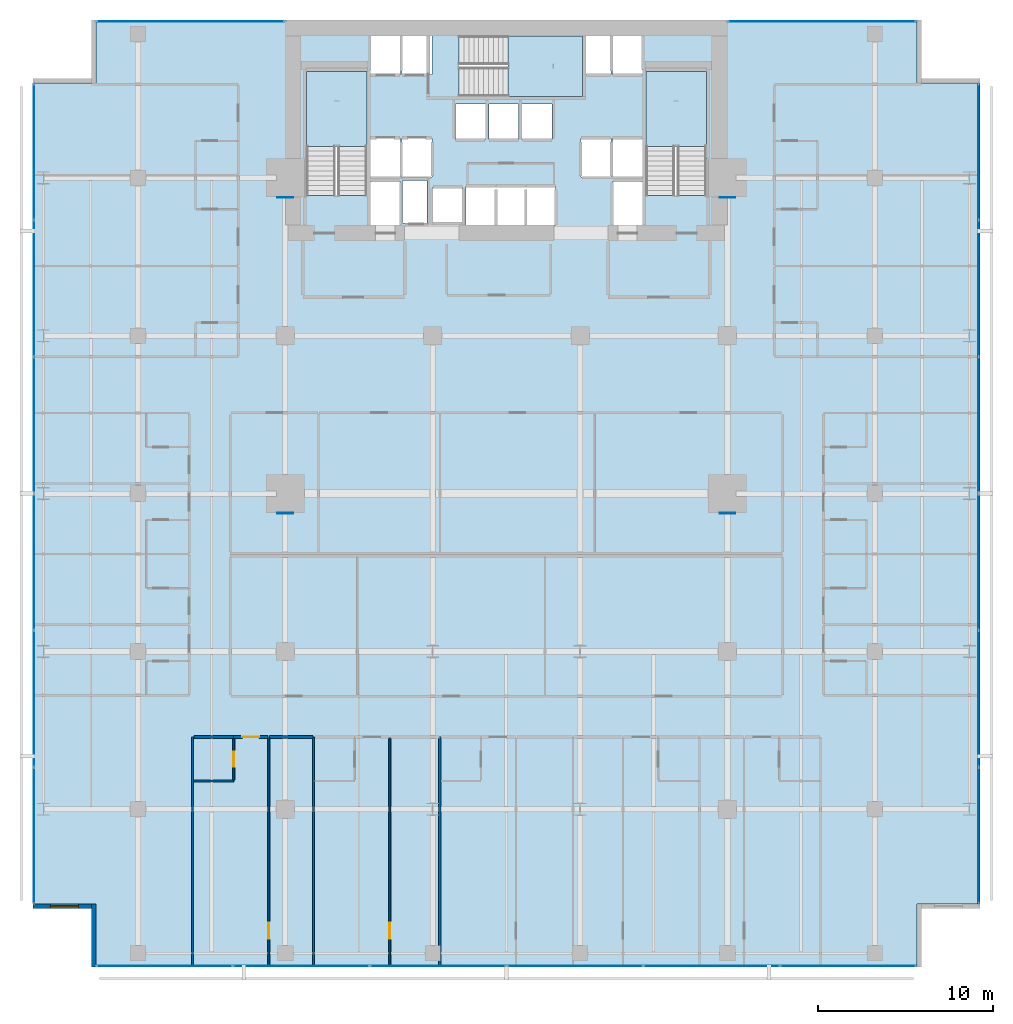
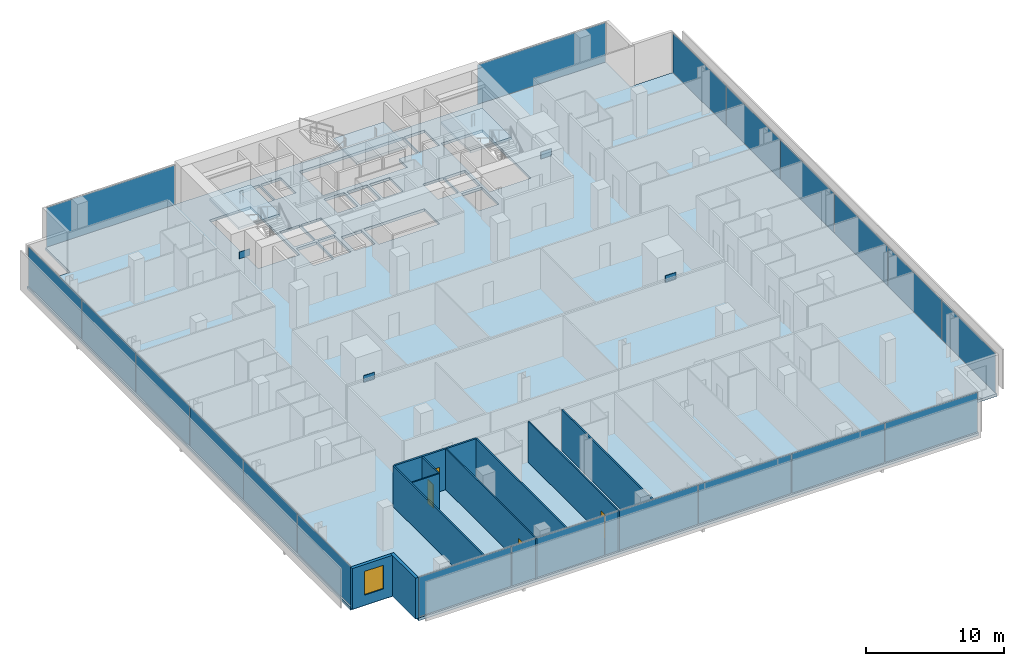
# One storey, part 32 of 40: 24 plates, 12 walls, 4 doors, 4 slabs, 1 window, 5 openings, 8 elements without a shape of their own.
"""IFC4 building model written with IfcOpenShell, lengths in metres."""

import ifcopenshell
import ifcopenshell.guid

model = None  # the IFC model being written
_history = None  # IfcOwnerHistory: only IFC2X3 demands one
_inside = {}  # id of a spatial element -> (the spatial element, [elements in it])
_under = {}  # id of a project, library or spatial element -> (it, [spatial elements below it])
_declared = {}  # id of a project -> (the project, [libraries it declares])
_typed = {}  # id of a type object -> (the type object, [elements of that type])
_made_of = {}  # id of a material, layer set ... -> (it, [elements and type objects made of it])


def new_model(schema):
    """Start an empty IFC model of exactly this schema.

    Asked for "IFC4X3", IfcOpenShell would pick the latest addendum, in which some entities
    have other attributes; the version numbers below select the first issue.
    IFC2X3 requires an IfcOwnerHistory on every rooted entity: one is made here for all.
    """
    global model, _history
    if schema == "IFC4X3":
        model = ifcopenshell.file(schema_version=(4, 3, 0, 0))
    else:
        model = ifcopenshell.file(schema=schema)
    _inside.clear()
    _under.clear()
    _declared.clear()
    _typed.clear()
    _made_of.clear()
    _history = None
    if model.schema == "IFC2X3":
        org = make("IfcOrganization", Name="unknown")
        user = make(
            "IfcPersonAndOrganization",
            ThePerson=make("IfcPerson", FamilyName="unknown"),
            TheOrganization=org,
        )
        app = make(
            "IfcApplication",
            ApplicationDeveloper=org,
            Version="unknown",
            ApplicationFullName="unknown",
            ApplicationIdentifier="unknown",
        )
        _history = make(
            "IfcOwnerHistory",
            OwningUser=user,
            OwningApplication=app,
            ChangeAction="ADDED",
            CreationDate=0,
        )
    return model


def make(cls, **values):
    """One entity of the class cls with the attributes given. An attribute that is None is left unset."""
    return model.create_entity(
        cls, **{name: value for name, value in values.items() if value is not None}
    )


def rooted(cls, **values):
    """An entity with a GlobalId (a new one), such as an element, a storey or a relation."""
    return make(cls, GlobalId=ifcopenshell.guid.new(), OwnerHistory=_history, **values)


def si_unit(unit_type, name, prefix=None):
    """IfcSIUnit, for example si_unit("LENGTHUNIT", "METRE", prefix="MILLI")."""
    return make("IfcSIUnit", UnitType=unit_type, Prefix=prefix, Name=name)


def assignment(units):
    """IfcUnitAssignment: the units of a project."""
    return None if units is None else make("IfcUnitAssignment", Units=units)


def point(xyz):
    """IfcCartesianPoint."""
    return None if xyz is None else make("IfcCartesianPoint", Coordinates=xyz)


def direction(xyz):
    """IfcDirection."""
    return None if xyz is None else make("IfcDirection", DirectionRatios=xyz)


def frame(location, z_axis=None, x_axis=None):
    """IfcAxis2Placement3D, a coordinate frame: its origin and axes. An axis left out is left unset."""
    return make(
        "IfcAxis2Placement3D",
        Location=point(location),
        Axis=direction(z_axis),
        RefDirection=direction(x_axis),
    )


def frame_2d(location, x_axis=None):
    """IfcAxis2Placement2D, a coordinate frame in the plane: its origin and x axis."""
    return make(
        "IfcAxis2Placement2D", Location=point(location), RefDirection=direction(x_axis)
    )


def origin():
    """The frame at (0, 0, 0) with its axes left unset."""
    return frame((0.0, 0.0, 0.0))


def origin_2d():
    """The frame at (0, 0) in the plane with its x axis left unset."""
    return frame_2d((0.0, 0.0))


def place(relative_to, where):
    """IfcLocalPlacement: puts the frame where relative to a parent placement (None: the world)."""
    return make(
        "IfcLocalPlacement", PlacementRelTo=relative_to, RelativePlacement=where
    )


def context(
    kind, dimensions, precision=None, world=None, true_north=None, identifier=None
):
    """IfcGeometricRepresentationContext, for example the 3D "Model" context."""
    return make(
        "IfcGeometricRepresentationContext",
        ContextIdentifier=identifier,
        ContextType=kind,
        CoordinateSpaceDimension=dimensions,
        Precision=precision,
        WorldCoordinateSystem=world,
        TrueNorth=true_north,
    )


def subcontext(parent, identifier, kind, view, scale=None):
    """IfcGeometricRepresentationSubContext, for example "Body" below "Model"."""
    return make(
        "IfcGeometricRepresentationSubContext",
        ContextIdentifier=identifier,
        ContextType=kind,
        ParentContext=parent,
        TargetScale=scale,
        TargetView=view,
    )


def project(units=None, contexts=None):
    """IfcProject with its units and contexts."""
    return rooted(
        "IfcProject",
        Name="project",
        RepresentationContexts=contexts,
        UnitsInContext=assignment(units),
    )


def spatial(cls, under=None, at=None, **own):
    """A site, building, storey or space (cls), placed at a placement, below another one or the project."""
    s = rooted(cls, ObjectPlacement=at, **own)
    if under is not None:
        _under.setdefault(under.id(), (under, []))[1].append(s)
    return s


def polyline(points):
    """IfcPolyline through the points."""
    return make("IfcPolyline", Points=[point(p) for p in points])


def profile(cls, at=None, kind="AREA", **sizes):
    """A parametric profile (cls). Its sizes go by their IFC names, for example OverallWidth=200.0."""
    return make(cls, ProfileType=kind, Position=at, **sizes)


def rectangle(**sizes):
    """IfcRectangleProfileDef."""
    return profile("IfcRectangleProfileDef", **sizes)


def outline(outer, holes=None, kind="AREA"):
    """IfcArbitraryClosedProfileDef: a profile drawn as a closed curve; with holes, ...WithVoids."""
    if holes is None:
        return make("IfcArbitraryClosedProfileDef", ProfileType=kind, OuterCurve=outer)
    return make(
        "IfcArbitraryProfileDefWithVoids",
        ProfileType=kind,
        OuterCurve=outer,
        InnerCurves=holes,
    )


def extrude(swept, where, along, depth):
    """IfcExtrudedAreaSolid: the profile swept, set in the frame where, extruded along a direction by depth."""
    return make(
        "IfcExtrudedAreaSolid",
        SweptArea=swept,
        Position=where,
        ExtrudedDirection=direction(along),
        Depth=depth,
    )


def shape(context_of_items, identifier, shape_type, items):
    """IfcShapeRepresentation: the items that make up one representation, for example the "Body"."""
    return make(
        "IfcShapeRepresentation",
        ContextOfItems=context_of_items,
        RepresentationIdentifier=identifier,
        RepresentationType=shape_type,
        Items=items,
    )


def material(Name=None, Category=None):
    """IfcMaterial."""
    return make("IfcMaterial", Name=Name, Category=Category)


def layer(
    of_material, thickness, ventilated=None, Name=None, Category=None, Priority=None
):
    """IfcMaterialLayer: one layer of a wall or slab, of a material (None: an air gap)."""
    return make(
        "IfcMaterialLayer",
        Material=of_material,
        LayerThickness=thickness,
        IsVentilated=ventilated,
        Name=Name,
        Category=Category,
        Priority=Priority,
    )


def layer_set(layers, Name=None):
    """IfcMaterialLayerSet."""
    return make("IfcMaterialLayerSet", MaterialLayers=layers, LayerSetName=Name)


def made_of(thing, what):
    """Note that an element or type object is made of a material, layer set ...; save() writes the relation."""
    if what is not None:
        _made_of.setdefault(what.id(), (what, []))[1].append(thing)
    return thing


def type_object(cls, material=None, **own):
    """A type object (cls), such as IfcWallType, which elements share."""
    return made_of(rooted(cls, **own), material)


def element(
    cls,
    number,
    at=None,
    inside=None,
    cuts=None,
    type_object=None,
    material=None,
    context=None,
    identifier="Body",
    shape_type=None,
    held_by="IfcProductDefinitionShape",
    body=None,
    shapes=None,
    **own,
):
    """One element of the class cls, such as IfcWall. Its Tag is "e" and its number.

    at: its placement. inside: the storey or other place that contains it. cuts: it is an
    opening in that element (IfcRelVoidsElement). A single representation is given by context,
    identifier, shape_type and body (its items); several are given by shapes. held_by: the class
    of the entity that holds the representations. save() writes the other relations.
    """
    e = rooted(cls, Tag="e%d" % number, ObjectPlacement=at, **own)
    if body is not None:
        shapes = [shape(context, identifier, shape_type, body)]
    if shapes is not None:
        e.Representation = make(held_by, Representations=shapes)
    if inside is not None:
        _inside.setdefault(inside.id(), (inside, []))[1].append(e)
    if cuts is not None:
        rooted(
            "IfcRelVoidsElement", RelatingBuildingElement=cuts, RelatedOpeningElement=e
        )
    if type_object is not None:
        _typed.setdefault(type_object.id(), (type_object, []))[1].append(e)
    return made_of(e, material)


def fill(opening, filler):
    """IfcRelFillsElement: the door or window that sits in an opening."""
    return rooted(
        "IfcRelFillsElement",
        RelatingOpeningElement=opening,
        RelatedBuildingElement=filler,
    )


def aggregate(whole, parts):
    """IfcRelAggregates: a whole, such as a stair, and the parts it consists of."""
    return rooted("IfcRelAggregates", RelatingObject=whole, RelatedObjects=parts)


def save(model, path):
    """Write the relations noted so far, then the file.

    IfcRelAggregates (storeys below a building ...), IfcRelContainedInSpatialStructure (elements
    in a storey), IfcRelDefinesByType, IfcRelAssociatesMaterial and IfcRelDeclares: one each for
    every whole, place, type object, material and project.
    """
    for whole, parts in _under.values():
        aggregate(whole, parts)
    for where, things in _inside.values():
        rooted(
            "IfcRelContainedInSpatialStructure",
            RelatedElements=things,
            RelatingStructure=where,
        )
    for kind, things in _typed.values():
        rooted("IfcRelDefinesByType", RelatedObjects=things, RelatingType=kind)
    for what, things in _made_of.values():
        rooted("IfcRelAssociatesMaterial", RelatedObjects=things, RelatingMaterial=what)
    for by, libraries in _declared.values():
        rooted("IfcRelDeclares", RelatingContext=by, RelatedDefinitions=libraries)
    model.write(path)


model = new_model("IFC4")

# Units and contexts
model_context = context("Model", 3, precision=1e-05, world=origin(), true_north=direction((0.0, 1.0)))
body_context = subcontext(model_context, "Body", "Model", "MODEL_VIEW")
ifc_project = project(units=[si_unit("LENGTHUNIT", "METRE"), si_unit("AREAUNIT", "SQUARE_METRE"), si_unit("VOLUMEUNIT", "CUBIC_METRE"), si_unit("PLANEANGLEUNIT", "RADIAN"), si_unit("MASSUNIT", "GRAM", prefix="KILO")], contexts=[model_context])

# Site, building, storey
site_placement = place(None, origin())
site = spatial("IfcSite", under=ifc_project, at=site_placement, CompositionType="ELEMENT")
building_placement = place(site_placement, origin())
building = spatial("IfcBuilding", under=site, at=building_placement, Name="Maruvema Waterfront Hotel and Observation Tower", CompositionType="ELEMENT")
storey_placement = place(building_placement, frame((0.0, 0.0, 77.0)))
storey = spatial("IfcBuildingStorey", under=building, at=storey_placement, Name="L18", CompositionType="ELEMENT", Elevation=77.0)

# Slab
ifc_material_1 = material(Name="Concrete C50/60", Category="concrete")
ifc_layer_1 = layer(ifc_material_1, 0.239990234375, Name="Reinforced Concrete Floor Slab 240 mm")
ifc_layer_set_1 = layer_set([ifc_layer_1], Name="Concrete C50/60")
slab_type_1 = type_object("IfcSlabType", Name="Reinforced Concrete Floor Slab 240 mm", PredefinedType="FLOOR", material=ifc_layer_set_1)
slab_1_placement = place(storey_placement, frame((0.0, 0.0, -0.239990234375)))
element("IfcSlab", 1, at=slab_1_placement, inside=storey, type_object=slab_type_1, Name="L18 Structural Floor Slab", PredefinedType="FLOOR", context=body_context, shape_type="SweptSolid", body=[
    extrude(outline(polyline([(14.39990234375, 0.0), (61.199951171875, 0.0), (61.199951171875, 3.60009765625), (64.800048828125, 3.60009765625), (64.800048828125, 50.39990234375), (61.199951171875, 50.39990234375), (61.199951171875, 54.0), (14.39990234375, 54.0), (14.39990234375, 50.39990234375), (10.800048828125, 50.39990234375), (10.800048828125, 3.60009765625), (14.39990234375, 3.60009765625), (14.39990234375, 0.0)]), holes=[polyline([(26.39990234375, 44.00048828125), (26.39990234375, 51.050048828125), (29.85009765625, 51.050048828125), (29.85009765625, 44.00048828125), (26.39990234375, 44.00048828125)]), polyline([(30.050048828125, 44.800048828125), (31.75, 44.800048828125), (31.75, 42.320068359375), (30.050048828125, 42.320068359375), (30.050048828125, 44.800048828125)]), polyline([(31.75, 47.25), (31.75, 45.050048828125), (30.050048828125, 45.050048828125), (30.050048828125, 47.25), (31.75, 47.25)]), polyline([(31.75, 53.10009765625), (31.75, 50.89990234375), (30.050048828125, 50.89990234375), (30.050048828125, 53.10009765625), (31.75, 53.10009765625)]), polyline([(33.280029296875, 44.860107421875), (33.280029296875, 42.43994140625), (31.8798828125, 42.43994140625), (31.8798828125, 44.860107421875), (33.280029296875, 44.860107421875)]), polyline([(31.85009765625, 47.25), (33.550048828125, 47.25), (33.550048828125, 45.050048828125), (31.85009765625, 45.050048828125), (31.85009765625, 47.25)]), polyline([(31.85009765625, 53.10009765625), (33.550048828125, 53.10009765625), (33.550048828125, 50.89990234375), (31.85009765625, 50.89990234375), (31.85009765625, 53.10009765625)]), polyline([(33.60009765625, 44.449951171875), (35.300048828125, 44.449951171875), (35.300048828125, 42.449951171875), (33.60009765625, 42.449951171875), (33.60009765625, 44.449951171875)]), polyline([(34.89990234375, 49.199951171875), (36.60009765625, 49.199951171875), (36.60009765625, 47.199951171875), (34.89990234375, 47.199951171875), (34.89990234375, 49.199951171875)]), polyline([(38.5, 49.199951171875), (38.5, 47.199951171875), (36.800048828125, 47.199951171875), (36.800048828125, 49.199951171875), (38.5, 49.199951171875)]), polyline([(35.5, 44.5), (40.60009765625, 44.5), (40.60009765625, 42.300048828125), (35.5, 42.300048828125), (35.5, 44.5)]), polyline([(43.75, 50.89990234375), (42.14990234375, 50.89990234375), (42.14990234375, 49.64990234375), (35.1005859375, 49.64990234375), (35.1005859375, 53.10009765625), (43.75, 53.10009765625), (43.75, 50.89990234375)]), polyline([(40.39990234375, 49.199951171875), (40.39990234375, 47.199951171875), (38.699951171875, 47.199951171875), (38.699951171875, 49.199951171875), (40.39990234375, 49.199951171875)]), polyline([(43.75, 47.25), (43.75, 45.050048828125), (42.050048828125, 45.050048828125), (42.050048828125, 47.25), (43.75, 47.25)]), polyline([(45.550048828125, 44.800048828125), (45.550048828125, 42.320068359375), (43.85009765625, 42.320068359375), (43.85009765625, 44.800048828125), (45.550048828125, 44.800048828125)]), polyline([(43.85009765625, 47.25), (45.550048828125, 47.25), (45.550048828125, 45.050048828125), (43.85009765625, 45.050048828125), (43.85009765625, 47.25)]), polyline([(45.550048828125, 53.10009765625), (45.550048828125, 50.89990234375), (43.85009765625, 50.89990234375), (43.85009765625, 53.10009765625), (45.550048828125, 53.10009765625)]), polyline([(45.75, 51.050048828125), (49.199951171875, 51.050048828125), (49.199951171875, 44.00048828125), (45.75, 44.00048828125), (45.75, 51.050048828125)])]), origin(), (0.0, 0.0, 1.0), 0.239990234375),
])

# Curtain wall, plates
ifc_material_2 = material(Name="Anodised bronze aluminium and solar-control low-E IGU", Category="aluminium")
ifc_layer_2 = layer(ifc_material_2, 0.159912109375, Name="Zone 1 Bronze Inner Thermal Curtain Wall System CW-02")
ifc_layer_set_2 = layer_set([ifc_layer_2], Name="Anodised bronze aluminium and solar-control low-E IGU")
curtain_wall_type = type_object("IfcCurtainWallType", Name="Zone 1 Bronze Inner Thermal Curtain Wall System CW-02", PredefinedType="USERDEFINED", material=ifc_layer_set_2)
curtain_wall_1_placement = place(storey_placement, origin())
curtain_wall_1 = element("IfcCurtainWall", 2, at=curtain_wall_1_placement, inside=storey, type_object=curtain_wall_type, Name="L18 Curtain Wall CW-L18-S", ObjectType="UNITISED CURTAIN WALL", PredefinedType="USERDEFINED")
ifc_material_3 = material(Name="Laminated low-E solar-control double glazing", Category="glass")
ifc_layer_3 = layer(ifc_material_3, 0.035888671875, Name="Solar Control Double-Glazed Curtain Panel 36 mm")
ifc_layer_set_3 = layer_set([ifc_layer_3], Name="Laminated low-E solar-control double glazing")
plate_type_1 = type_object("IfcPlateType", Name="Solar Control Double-Glazed Curtain Panel 36 mm", PredefinedType="CURTAIN_PANEL", material=ifc_layer_set_3)
plate_1_placement = place(storey_placement, frame((18.31494140625, 0.080078125, 0.06005859375), z_axis=(0.0, 0.0, 1.0), x_axis=(1.0, 0.0, 0.0)))
plate_1 = element("IfcPlate", 3, at=plate_1_placement, type_object=plate_type_1, Name="CW-02 panel 1.1", PredefinedType="CURTAIN_PANEL", context=body_context, shape_type="SweptSolid", body=[
    extrude(rectangle(XDim=7.7099609375, YDim=0.028076171875, at=origin_2d()), origin(), (0.0, 0.0, 1.0), 3.489990234375),
])
plate_2_placement = place(storey_placement, frame((26.10009765625, 0.080078125, 0.06005859375), z_axis=(0.0, 0.0, 1.0), x_axis=(1.0, 0.0, 0.0)))
plate_2 = element("IfcPlate", 4, at=plate_2_placement, type_object=plate_type_1, Name="CW-02 panel 2.1", PredefinedType="CURTAIN_PANEL", context=body_context, shape_type="SweptSolid", body=[
    extrude(rectangle(XDim=7.739990234375, YDim=0.028076171875, at=origin_2d()), origin(), (0.0, 0.0, 1.0), 3.489990234375),
])
plate_3_placement = place(storey_placement, frame((33.89990234375, 0.080078125, 0.06005859375), z_axis=(0.0, 0.0, 1.0), x_axis=(1.0, 0.0, 0.0)))
plate_3 = element("IfcPlate", 5, at=plate_3_placement, type_object=plate_type_1, Name="CW-02 panel 3.1", PredefinedType="CURTAIN_PANEL", context=body_context, shape_type="SweptSolid", body=[
    extrude(rectangle(XDim=7.739990234375, YDim=0.028076171875, at=origin_2d()), origin(), (0.0, 0.0, 1.0), 3.489990234375),
])
plate_4_placement = place(storey_placement, frame((41.699951171875, 0.080078125, 0.06005859375), z_axis=(0.0, 0.0, 1.0), x_axis=(1.0, 0.0, 0.0)))
plate_4 = element("IfcPlate", 6, at=plate_4_placement, type_object=plate_type_1, Name="CW-02 panel 4.1", PredefinedType="CURTAIN_PANEL", context=body_context, shape_type="SweptSolid", body=[
    extrude(rectangle(XDim=7.739990234375, YDim=0.028076171875, at=origin_2d()), origin(), (0.0, 0.0, 1.0), 3.489990234375),
])
plate_5_placement = place(storey_placement, frame((49.5, 0.080078125, 0.06005859375), z_axis=(0.0, 0.0, 1.0), x_axis=(1.0, 0.0, 0.0)))
plate_5 = element("IfcPlate", 7, at=plate_5_placement, type_object=plate_type_1, Name="CW-02 panel 5.1", PredefinedType="CURTAIN_PANEL", context=body_context, shape_type="SweptSolid", body=[
    extrude(rectangle(XDim=7.739990234375, YDim=0.028076171875, at=origin_2d()), origin(), (0.0, 0.0, 1.0), 3.489990234375),
])
plate_6_placement = place(storey_placement, frame((57.284912109375, 0.080078125, 0.06005859375), z_axis=(0.0, 0.0, 1.0), x_axis=(1.0, 0.0, 0.0)))
plate_6 = element("IfcPlate", 8, at=plate_6_placement, type_object=plate_type_1, Name="CW-02 panel 6.1", PredefinedType="CURTAIN_PANEL", context=body_context, shape_type="SweptSolid", body=[
    extrude(rectangle(XDim=7.7099609375, YDim=0.028076171875, at=origin_2d()), origin(), (0.0, 0.0, 1.0), 3.489990234375),
])
aggregate(curtain_wall_1, [plate_1, plate_2, plate_3, plate_4, plate_5, plate_6])

curtain_wall_2_placement = place(storey_placement, origin())
curtain_wall_2 = element("IfcCurtainWall", 9, at=curtain_wall_2_placement, inside=storey, type_object=curtain_wall_type, Name="L18 Curtain Wall CW-L18-E", ObjectType="UNITISED CURTAIN WALL", PredefinedType="USERDEFINED")
plate_7_placement = place(storey_placement, frame((64.719970703125, 7.514892578125, 0.06005859375), z_axis=(0.0, 0.0, 1.0), x_axis=(0.0, 1.0, 0.0)))
plate_7 = element("IfcPlate", 10, at=plate_7_placement, type_object=plate_type_1, Name="CW-02 panel 1.1", PredefinedType="CURTAIN_PANEL", context=body_context, shape_type="SweptSolid", body=[
    extrude(rectangle(XDim=7.7099609375, YDim=0.028076171875, at=origin_2d()), origin(), (0.0, 0.0, 1.0), 3.489990234375),
])
plate_8_placement = place(storey_placement, frame((64.719970703125, 15.300048828125, 0.06005859375), z_axis=(0.0, 0.0, 1.0), x_axis=(0.0, 1.0, 0.0)))
plate_8 = element("IfcPlate", 11, at=plate_8_placement, type_object=plate_type_1, Name="CW-02 panel 2.1", PredefinedType="CURTAIN_PANEL", context=body_context, shape_type="SweptSolid", body=[
    extrude(rectangle(XDim=7.739990234375, YDim=0.028076171875, at=origin_2d()), origin(), (0.0, 0.0, 1.0), 3.489990234375),
])
plate_9_placement = place(storey_placement, frame((64.719970703125, 23.10009765625, 0.06005859375), z_axis=(0.0, 0.0, 1.0), x_axis=(0.0, 1.0, 0.0)))
plate_9 = element("IfcPlate", 12, at=plate_9_placement, type_object=plate_type_1, Name="CW-02 panel 3.1", PredefinedType="CURTAIN_PANEL", context=body_context, shape_type="SweptSolid", body=[
    extrude(rectangle(XDim=7.739990234375, YDim=0.028076171875, at=origin_2d()), origin(), (0.0, 0.0, 1.0), 3.489990234375),
])
plate_10_placement = place(storey_placement, frame((64.719970703125, 30.89990234375, 0.06005859375), z_axis=(0.0, 0.0, 1.0), x_axis=(0.0, 1.0, 0.0)))
plate_10 = element("IfcPlate", 13, at=plate_10_placement, type_object=plate_type_1, Name="CW-02 panel 4.1", PredefinedType="CURTAIN_PANEL", context=body_context, shape_type="SweptSolid", body=[
    extrude(rectangle(XDim=7.739990234375, YDim=0.028076171875, at=origin_2d()), origin(), (0.0, 0.0, 1.0), 3.489990234375),
])
plate_11_placement = place(storey_placement, frame((64.719970703125, 38.699951171875, 0.06005859375), z_axis=(0.0, 0.0, 1.0), x_axis=(0.0, 1.0, 0.0)))
plate_11 = element("IfcPlate", 14, at=plate_11_placement, type_object=plate_type_1, Name="CW-02 panel 5.1", PredefinedType="CURTAIN_PANEL", context=body_context, shape_type="SweptSolid", body=[
    extrude(rectangle(XDim=7.739990234375, YDim=0.028076171875, at=origin_2d()), origin(), (0.0, 0.0, 1.0), 3.489990234375),
])
plate_12_placement = place(storey_placement, frame((64.719970703125, 46.485107421875, 0.06005859375), z_axis=(0.0, 0.0, 1.0), x_axis=(0.0, 1.0, 0.0)))
plate_12 = element("IfcPlate", 15, at=plate_12_placement, type_object=plate_type_1, Name="CW-02 panel 6.1", PredefinedType="CURTAIN_PANEL", context=body_context, shape_type="SweptSolid", body=[
    extrude(rectangle(XDim=7.7099609375, YDim=0.028076171875, at=origin_2d()), origin(), (0.0, 0.0, 1.0), 3.489990234375),
])
aggregate(curtain_wall_2, [plate_7, plate_8, plate_9, plate_10, plate_11, plate_12])

curtain_wall_3_placement = place(storey_placement, origin())
curtain_wall_3 = element("IfcCurtainWall", 16, at=curtain_wall_3_placement, inside=storey, type_object=curtain_wall_type, Name="L18 Curtain Wall CW-L18-W", ObjectType="UNITISED CURTAIN WALL", PredefinedType="USERDEFINED")
plate_13_placement = place(storey_placement, frame((10.8798828125, 46.485107421875, 0.06005859375), z_axis=(0.0, 0.0, 1.0), x_axis=(0.0, -1.0, 0.0)))
plate_13 = element("IfcPlate", 17, at=plate_13_placement, type_object=plate_type_1, Name="CW-02 panel 1.1", PredefinedType="CURTAIN_PANEL", context=body_context, shape_type="SweptSolid", body=[
    extrude(rectangle(XDim=7.7099609375, YDim=0.028076171875, at=origin_2d()), origin(), (0.0, 0.0, 1.0), 3.489990234375),
])
plate_14_placement = place(storey_placement, frame((10.8798828125, 38.699951171875, 0.06005859375), z_axis=(0.0, 0.0, 1.0), x_axis=(0.0, -1.0, 0.0)))
plate_14 = element("IfcPlate", 18, at=plate_14_placement, type_object=plate_type_1, Name="CW-02 panel 2.1", PredefinedType="CURTAIN_PANEL", context=body_context, shape_type="SweptSolid", body=[
    extrude(rectangle(XDim=7.739990234375, YDim=0.028076171875, at=origin_2d()), origin(), (0.0, 0.0, 1.0), 3.489990234375),
])
plate_15_placement = place(storey_placement, frame((10.8798828125, 30.89990234375, 0.06005859375), z_axis=(0.0, 0.0, 1.0), x_axis=(0.0, -1.0, 0.0)))
plate_15 = element("IfcPlate", 19, at=plate_15_placement, type_object=plate_type_1, Name="CW-02 panel 3.1", PredefinedType="CURTAIN_PANEL", context=body_context, shape_type="SweptSolid", body=[
    extrude(rectangle(XDim=7.739990234375, YDim=0.028076171875, at=origin_2d()), origin(), (0.0, 0.0, 1.0), 3.489990234375),
])
plate_16_placement = place(storey_placement, frame((10.8798828125, 23.10009765625, 0.06005859375), z_axis=(0.0, 0.0, 1.0), x_axis=(0.0, -1.0, 0.0)))
plate_16 = element("IfcPlate", 20, at=plate_16_placement, type_object=plate_type_1, Name="CW-02 panel 4.1", PredefinedType="CURTAIN_PANEL", context=body_context, shape_type="SweptSolid", body=[
    extrude(rectangle(XDim=7.739990234375, YDim=0.028076171875, at=origin_2d()), origin(), (0.0, 0.0, 1.0), 3.489990234375),
])
plate_17_placement = place(storey_placement, frame((10.8798828125, 15.300048828125, 0.06005859375), z_axis=(0.0, 0.0, 1.0), x_axis=(0.0, -1.0, 0.0)))
plate_17 = element("IfcPlate", 21, at=plate_17_placement, type_object=plate_type_1, Name="CW-02 panel 5.1", PredefinedType="CURTAIN_PANEL", context=body_context, shape_type="SweptSolid", body=[
    extrude(rectangle(XDim=7.739990234375, YDim=0.028076171875, at=origin_2d()), origin(), (0.0, 0.0, 1.0), 3.489990234375),
])
plate_18_placement = place(storey_placement, frame((10.8798828125, 7.514892578125, 0.06005859375), z_axis=(0.0, 0.0, 1.0), x_axis=(0.0, -1.0, 0.0)))
plate_18 = element("IfcPlate", 22, at=plate_18_placement, type_object=plate_type_1, Name="CW-02 panel 6.1", PredefinedType="CURTAIN_PANEL", context=body_context, shape_type="SweptSolid", body=[
    extrude(rectangle(XDim=7.7099609375, YDim=0.028076171875, at=origin_2d()), origin(), (0.0, 0.0, 1.0), 3.489990234375),
])
aggregate(curtain_wall_3, [plate_13, plate_14, plate_15, plate_16, plate_17, plate_18])

# Curtain wall, plate
curtain_wall_4_placement = place(storey_placement, origin())
curtain_wall_4 = element("IfcCurtainWall", 23, at=curtain_wall_4_placement, inside=storey, type_object=curtain_wall_type, Name="L18 Curtain Wall CW-L18-NW", ObjectType="UNITISED CURTAIN WALL", PredefinedType="USERDEFINED")
plate_19_placement = place(storey_placement, frame((19.800048828125, 53.919921875, 0.06005859375), z_axis=(0.0, 0.0, 1.0), x_axis=(-1.0, 0.0, 0.0)))
plate_19 = element("IfcPlate", 24, at=plate_19_placement, type_object=plate_type_1, Name="CW-02 panel 1.1", PredefinedType="CURTAIN_PANEL", context=body_context, shape_type="SweptSolid", body=[
    extrude(rectangle(XDim=10.679931640625, YDim=0.028076171875, at=origin_2d()), origin(), (0.0, 0.0, 1.0), 3.489990234375),
])
aggregate(curtain_wall_4, [plate_19])

curtain_wall_5_placement = place(storey_placement, origin())
curtain_wall_5 = element("IfcCurtainWall", 25, at=curtain_wall_5_placement, inside=storey, type_object=curtain_wall_type, Name="L18 Curtain Wall CW-L18-NE", ObjectType="UNITISED CURTAIN WALL", PredefinedType="USERDEFINED")
plate_20_placement = place(storey_placement, frame((55.800048828125, 53.919921875, 0.06005859375), z_axis=(0.0, 0.0, 1.0), x_axis=(-1.0, 0.0, 0.0)))
plate_20 = element("IfcPlate", 26, at=plate_20_placement, type_object=plate_type_1, Name="CW-02 panel 1.1", PredefinedType="CURTAIN_PANEL", context=body_context, shape_type="SweptSolid", body=[
    extrude(rectangle(XDim=10.679931640625, YDim=0.028076171875, at=origin_2d()), origin(), (0.0, 0.0, 1.0), 3.489990234375),
])
aggregate(curtain_wall_5, [plate_20])

# Stair, slab
ifc_material_4 = material(Name="Concrete C50/60", Category="concrete")
stair_type = type_object("IfcStairType", Name="Dogleg Exit Stair 1650 mm (22R x 175.0 mm)", PredefinedType="HALF_TURN_STAIR", material=ifc_material_4)
stair_1_placement = place(storey_placement, origin())
stair_1 = element("IfcStair", 27, at=stair_1_placement, inside=storey, type_object=stair_type, Name="L18 ST-01", PredefinedType="HALF_TURN_STAIR")
ifc_material_5 = material(Name="Concrete C50/60", Category="concrete")
ifc_layer_4 = layer(ifc_material_5, 0.219970703125, Name="Stair Concrete Landing Slab 220 mm")
ifc_layer_set_4 = layer_set([ifc_layer_4], Name="Concrete C50/60")
slab_type_2 = type_object("IfcSlabType", Name="Stair Concrete Landing Slab 220 mm", PredefinedType="LANDING", material=ifc_layer_set_4)
slab_2_placement = place(storey_placement, frame((0.0, 0.0, 1.705078125)))
slab_2 = element("IfcSlab", 28, at=slab_2_placement, type_object=slab_type_2, Name="ST-01 landing 1", PredefinedType="LANDING", context=body_context, shape_type="SweptSolid", body=[
    extrude(outline(polyline([(29.85009765625, 46.800048828125), (29.85009765625, 51.050048828125), (26.39990234375, 51.050048828125), (26.39990234375, 46.800048828125), (29.85009765625, 46.800048828125)])), origin(), (0.0, 0.0, 1.0), 0.219970703125),
])
aggregate(stair_1, [slab_2])

stair_2_placement = place(storey_placement, origin())
stair_2 = element("IfcStair", 29, at=stair_2_placement, inside=storey, type_object=stair_type, Name="L18 ST-02", PredefinedType="HALF_TURN_STAIR")
slab_3_placement = place(storey_placement, frame((0.0, 0.0, 1.705078125)))
slab_3 = element("IfcSlab", 30, at=slab_3_placement, type_object=slab_type_2, Name="ST-02 landing 1", PredefinedType="LANDING", context=body_context, shape_type="SweptSolid", body=[
    extrude(outline(polyline([(37.89990234375, 49.64990234375), (42.14990234375, 49.64990234375), (42.14990234375, 53.10009765625), (37.89990234375, 53.10009765625), (37.89990234375, 49.64990234375)])), origin(), (0.0, 0.0, 1.0), 0.219970703125),
])
aggregate(stair_2, [slab_3])

stair_3_placement = place(storey_placement, origin())
stair_3 = element("IfcStair", 31, at=stair_3_placement, inside=storey, type_object=stair_type, Name="L18 ST-03", PredefinedType="HALF_TURN_STAIR")
slab_4_placement = place(storey_placement, frame((0.0, 0.0, 1.705078125)))
slab_4 = element("IfcSlab", 32, at=slab_4_placement, type_object=slab_type_2, Name="ST-03 landing 1", PredefinedType="LANDING", context=body_context, shape_type="SweptSolid", body=[
    extrude(outline(polyline([(49.199951171875, 46.800048828125), (49.199951171875, 51.050048828125), (45.75, 51.050048828125), (45.75, 46.800048828125), (49.199951171875, 46.800048828125)])), origin(), (0.0, 0.0, 1.0), 0.219970703125),
])
aggregate(stair_3, [slab_4])

# Plates
ifc_material_6 = material(Name="Steel ABNT NBR 7007 AR 415 (ASTM A572 Grade 50)", Category="steel")
ifc_layer_5 = layer(ifc_material_6, 0.0400390625, Name="Structural Truss Node Gusset Plate 40 mm")
ifc_layer_set_5 = layer_set([ifc_layer_5], Name="Steel ABNT NBR 7007 AR 415 (ASTM A572 Grade 50)")
plate_type_2 = type_object("IfcPlateType", Name="Structural Truss Node Gusset Plate 40 mm", PredefinedType="USERDEFINED", material=ifc_layer_set_5)
for number, where, z_axis, x_axis, name in (
    (33, (25.199951171875, 25.8798828125, 1.5), (0.0, 0.0, 1.0), (1.0, 0.0, 0.0), "L18 MC-01 Moment Frame Continuity Gusset Plate"),
    (34, (50.39990234375, 25.8798828125, 1.5), (0.0, 0.0, 1.0), (1.0, 0.0, 0.0), "L18 MC-02 Moment Frame Continuity Gusset Plate"),
    (35, (25.199951171875, 43.8798828125, 1.5), (0.0, 0.0, 1.0), (1.0, 0.0, 0.0), "L18 MC-03 Moment Frame Continuity Gusset Plate"),
    (36, (50.39990234375, 43.8798828125, 1.5), (0.0, 0.0, 1.0), (1.0, 0.0, 0.0), "L18 MC-04 Moment Frame Continuity Gusset Plate"),
):
    element("IfcPlate", number, at=place(storey_placement, frame(where, z_axis=z_axis, x_axis=x_axis)), inside=storey, type_object=plate_type_2, Name=name, ObjectType="GUSSET_PLATE", PredefinedType="USERDEFINED", context=body_context, shape_type="SweptSolid", body=[
        extrude(rectangle(XDim=0.89990234375, YDim=0.0400390625, at=origin_2d()), origin(), (0.0, 0.0, 1.0), 0.60009765625),
    ])

# Wall
ifc_material_7 = material(Name="Twin-stud acoustic gypsum drywall", Category="gypsum")
ifc_layer_6 = layer(ifc_material_7, 0.14990234375, Name="Acoustic Corridor and Suite Demising Wall 150 mm")
ifc_layer_set_6 = layer_set([ifc_layer_6], Name="Twin-stud acoustic gypsum drywall")
wall_type_1 = type_object("IfcWallType", Name="Acoustic Corridor and Suite Demising Wall 150 mm", PredefinedType="PARTITIONING", material=ifc_layer_set_6)
wall_1_placement = place(storey_placement, frame((19.97998046875, 13.1201171875, 0.0), z_axis=(0.0, 0.0, 1.0), x_axis=(1.0, 0.0, 0.0)))
element("IfcWall", 37, at=wall_1_placement, inside=storey, type_object=wall_type_1, Name="L18 Bath L18-S1 Back Wall 036", PredefinedType="PARTITIONING", context=body_context, shape_type="SweptSolid", body=[
    extrude(rectangle(XDim=2.27001953125, YDim=0.14990234375, at=frame_2d((1.135009765625, 0.0))), origin(), (0.0, 0.0, 1.0), 3.610107421875),
])

# Wall, opening, door
wall_2_placement = place(storey_placement, frame((22.25, 13.1201171875, 0.0), z_axis=(0.0, 0.0, 1.0), x_axis=(1.0, 0.0, 0.0)))
wall_2 = element("IfcWall", 38, at=wall_2_placement, inside=storey, type_object=wall_type_1, Name="L18 Unit L18-S1 Corridor Wall 039", PredefinedType="PARTITIONING", context=body_context, shape_type="SweptSolid", body=[
    extrude(rectangle(XDim=1.9599609375, YDim=0.14990234375, at=frame_2d((0.97998046875, 0.0))), origin(), (0.0, 0.0, 1.0), 3.610107421875),
])
opening_1_placement = place(wall_2_placement, frame((0.5048828125, 0.0, 0.0)))
opening_1 = element("IfcOpeningElement", 39, at=opening_1_placement, cuts=wall_2, Name="Opening DR-095", PredefinedType="OPENING", context=body_context, shape_type="SweptSolid", body=[
    extrude(rectangle(XDim=0.949951171875, YDim=2.14990234375, at=frame_2d((0.47509765625, 1.074951171875))), frame((0.0, 0.0849609375, 0.0), z_axis=(0.0, -1.0, 0.0), x_axis=(1.0, 0.0, 0.0)), (0.0, 0.0, 1.0), 0.169921875),
])
ifc_material_8 = material(Name="Acoustic solid-core hardwood timber leaf", Category="wood")
door_type_1 = type_object("IfcDoorType", Name="Guestroom Entrance Fire Door 950x2150 mm", OperationType="NOTDEFINED", PredefinedType="DOOR", material=ifc_material_8)
door_1_placement = place(opening_1_placement, frame((0.949951171875, 0.0, 0.0), z_axis=(0.0, 0.0, 1.0), x_axis=(-1.0, 0.0, 0.0)))
door_1 = element("IfcDoor", 40, at=door_1_placement, inside=storey, type_object=door_type_1, Name="L18 Unit L18-S1 Entrance Door", OperationType="SINGLE_SWING_RIGHT", OverallHeight=2.14990234375, OverallWidth=0.949951171875, PredefinedType="DOOR", context=body_context, shape_type="SweptSolid", body=[
    extrude(rectangle(XDim=0.949951171875, YDim=2.14990234375, at=frame_2d((0.47509765625, 1.074951171875))), frame((0.0, 0.02490234375, 0.0), z_axis=(0.0, -1.0, 0.0), x_axis=(1.0, 0.0, 0.0)), (0.0, 0.0, 1.0), 0.050048828125),
])
fill(opening_1, door_1)

# Walls
wall_3_placement = place(storey_placement, frame((24.2900390625, 13.1201171875, 0.0), z_axis=(0.0, 0.0, 1.0), x_axis=(1.0, 0.0, 0.0)))
element("IfcWall", 41, at=wall_3_placement, inside=storey, type_object=wall_type_1, Name="L18 Bedroom L18-S1 Back Wall 040", PredefinedType="PARTITIONING", context=body_context, shape_type="SweptSolid", body=[
    extrude(rectangle(XDim=2.489990234375, YDim=0.14990234375, at=frame_2d((1.2451171875, 0.0))), origin(), (0.0, 0.0, 1.0), 3.610107421875),
])
ifc_material_9 = material(Name="Moisture-resistant cement-board drywall", Category="gypsum")
ifc_layer_7 = layer(ifc_material_9, 0.10009765625, Name="En-Suite Moisture-Resistant Partition 100 mm")
ifc_layer_set_7 = layer_set([ifc_layer_7], Name="Moisture-resistant cement-board drywall")
wall_type_2 = type_object("IfcWallType", Name="En-Suite Moisture-Resistant Partition 100 mm", PredefinedType="PARTITIONING", material=ifc_layer_set_7)
wall_4_placement = place(storey_placement, frame((19.97998046875, 10.6201171875, 0.0), z_axis=(0.0, 0.0, 1.0), x_axis=(1.0, 0.0, 0.0)))
element("IfcWall", 42, at=wall_4_placement, inside=storey, type_object=wall_type_2, Name="L18 En-Suite L18-S1 South 037", PredefinedType="PARTITIONING", context=body_context, shape_type="SweptSolid", body=[
    extrude(rectangle(XDim=2.27001953125, YDim=0.10009765625, at=frame_2d((1.135009765625, 0.0))), origin(), (0.0, 0.0, 1.0), 3.610107421875),
])

# Wall, opening, door
wall_5_placement = place(storey_placement, frame((22.25, 10.679931640625, 0.0), z_axis=(0.0, 0.0, 1.0), x_axis=(0.0, 1.0, 0.0)))
wall_5 = element("IfcWall", 43, at=wall_5_placement, inside=storey, type_object=wall_type_2, Name="L18 En-Suite L18-S1 East 038", PredefinedType="PARTITIONING", context=body_context, shape_type="SweptSolid", body=[
    extrude(rectangle(XDim=2.340087890625, YDim=0.10009765625, at=frame_2d((1.169921875, 0.0))), origin(), (0.0, 0.0, 1.0), 3.610107421875),
])
opening_2_placement = place(wall_5_placement, frame((0.7451171875, 0.0, 0.0)))
opening_2 = element("IfcOpeningElement", 44, at=opening_2_placement, cuts=wall_5, Name="Opening DR-085", PredefinedType="OPENING", context=body_context, shape_type="SweptSolid", body=[
    extrude(rectangle(XDim=0.85009765625, YDim=2.10009765625, at=frame_2d((0.425048828125, 1.050048828125))), frame((0.0, 0.06005859375, 0.0), z_axis=(0.0, -1.0, 0.0), x_axis=(1.0, 0.0, 0.0)), (0.0, 0.0, 1.0), 0.1201171875),
])
ifc_material_10 = material(Name="Moisture-resistant solid timber leaf", Category="wood")
door_type_2 = type_object("IfcDoorType", Name="En-Suite Bathroom Door 850x2100 mm", OperationType="NOTDEFINED", PredefinedType="DOOR", material=ifc_material_10)
door_2_placement = place(opening_2_placement, frame((0.85009765625, 0.0, 0.0), z_axis=(0.0, 0.0, 1.0), x_axis=(-1.0, 0.0, 0.0)))
door_2 = element("IfcDoor", 45, at=door_2_placement, inside=storey, type_object=door_type_2, Name="L18 En-Suite L18-S1 Door", OperationType="SINGLE_SWING_LEFT", OverallHeight=2.10009765625, OverallWidth=0.85009765625, PredefinedType="DOOR", context=body_context, shape_type="SweptSolid", body=[
    extrude(rectangle(XDim=0.85009765625, YDim=2.10009765625, at=frame_2d((0.425048828125, 1.050048828125))), frame((0.0, 0.02490234375, 0.0), z_axis=(0.0, -1.0, 0.0), x_axis=(1.0, 0.0, 0.0)), (0.0, 0.0, 1.0), 0.050048828125),
])
fill(opening_2, door_2)

wall_6_placement = place(storey_placement, frame((24.25, 0.030029296875, 0.0), z_axis=(0.0, 0.0, 1.0), x_axis=(0.0, 1.0, 0.0)))
wall_6 = element("IfcWall", 46, at=wall_6_placement, inside=storey, type_object=wall_type_2, Name="L18 Suite L18-S1 Split 041", PredefinedType="PARTITIONING", context=body_context, shape_type="SweptSolid", body=[
    extrude(rectangle(XDim=13.030029296875, YDim=0.10009765625, at=frame_2d((6.51513671875, 0.0))), origin(), (0.0, 0.0, 1.0), 3.610107421875),
])
opening_3_placement = place(wall_6_placement, frame((1.60009765625, 0.0, 0.0)))
opening_3 = element("IfcOpeningElement", 47, at=opening_3_placement, cuts=wall_6, Name="Opening DR-090", PredefinedType="OPENING", context=body_context, shape_type="SweptSolid", body=[
    extrude(rectangle(XDim=0.89990234375, YDim=2.10009765625, at=frame_2d((0.449951171875, 1.050048828125))), frame((0.0, 0.06005859375, 0.0), z_axis=(0.0, -1.0, 0.0), x_axis=(1.0, 0.0, 0.0)), (0.0, 0.0, 1.0), 0.1201171875),
])
ifc_material_11 = material(Name="Solid-core lacquered timber leaf", Category="wood")
door_type_3 = type_object("IfcDoorType", Name="Accessible Toilet and Room Door 900x2100 mm", OperationType="NOTDEFINED", PredefinedType="DOOR", material=ifc_material_11)
door_3_placement = place(opening_3_placement, origin())
door_3 = element("IfcDoor", 48, at=door_3_placement, inside=storey, type_object=door_type_3, Name="L18 Suite L18-S1 Bedroom Door", OperationType="SINGLE_SWING_LEFT", OverallHeight=2.10009765625, OverallWidth=0.89990234375, PredefinedType="DOOR", context=body_context, shape_type="SweptSolid", body=[
    extrude(rectangle(XDim=0.89990234375, YDim=2.10009765625, at=frame_2d((0.449951171875, 1.050048828125))), frame((0.0, 0.02490234375, 0.0), z_axis=(0.0, -1.0, 0.0), x_axis=(1.0, 0.0, 0.0)), (0.0, 0.0, 1.0), 0.050048828125),
])
fill(opening_3, door_3)

wall_7_placement = place(storey_placement, frame((31.14990234375, 0.030029296875, 0.0), z_axis=(0.0, 0.0, 1.0), x_axis=(0.0, 1.0, 0.0)))
wall_7 = element("IfcWall", 49, at=wall_7_placement, inside=storey, type_object=wall_type_2, Name="L18 Suite L18-S2 Split 048", PredefinedType="PARTITIONING", context=body_context, shape_type="SweptSolid", body=[
    extrude(rectangle(XDim=13.030029296875, YDim=0.10009765625, at=frame_2d((6.51513671875, 0.0))), origin(), (0.0, 0.0, 1.0), 3.610107421875),
])
opening_4_placement = place(wall_7_placement, frame((1.60009765625, 0.0, 0.0)))
opening_4 = element("IfcOpeningElement", 50, at=opening_4_placement, cuts=wall_7, Name="Opening DR-090", PredefinedType="OPENING", context=body_context, shape_type="SweptSolid", body=[
    extrude(rectangle(XDim=0.89990234375, YDim=2.10009765625, at=frame_2d((0.449951171875, 1.050048828125))), frame((0.0, 0.06005859375, 0.0), z_axis=(0.0, -1.0, 0.0), x_axis=(1.0, 0.0, 0.0)), (0.0, 0.0, 1.0), 0.1201171875),
])
door_4_placement = place(opening_4_placement, origin())
door_4 = element("IfcDoor", 51, at=door_4_placement, inside=storey, type_object=door_type_3, Name="L18 Suite L18-S2 Bedroom Door", OperationType="SINGLE_SWING_RIGHT", OverallHeight=2.10009765625, OverallWidth=0.89990234375, PredefinedType="DOOR", context=body_context, shape_type="SweptSolid", body=[
    extrude(rectangle(XDim=0.89990234375, YDim=2.10009765625, at=frame_2d((0.449951171875, 1.050048828125))), frame((0.0, 0.02490234375, 0.0), z_axis=(0.0, -1.0, 0.0), x_axis=(1.0, 0.0, 0.0)), (0.0, 0.0, 1.0), 0.050048828125),
])
fill(opening_4, door_4)

# Wall
ifc_material_12 = material(Name="Precast concrete C45/55 with honed Pernambuco granite facing", Category="masonry")
ifc_layer_8 = layer(ifc_material_12, 0.260009765625, Name="Exterior Granite Clad Spandrel and Pier Wall 260 mm")
ifc_layer_set_8 = layer_set([ifc_layer_8], Name="Precast concrete C45/55 with honed Pernambuco granite facing")
wall_type_3 = type_object("IfcWallType", Name="Exterior Granite Clad Spandrel and Pier Wall 260 mm", PredefinedType="SOLIDWALL", material=ifc_layer_set_8)
wall_8_placement = place(storey_placement, frame((14.27001953125, 0.0, 0.0), z_axis=(0.0, 0.0, 1.0), x_axis=(0.0, 1.0, 0.0)))
element("IfcWall", 52, at=wall_8_placement, inside=storey, type_object=wall_type_3, Name="L18 Corner Notch Granite Pier Wall SW1", PredefinedType="SOLIDWALL", context=body_context, shape_type="SweptSolid", body=[
    extrude(rectangle(XDim=3.60009765625, YDim=0.260009765625, at=frame_2d((1.800048828125, 0.0))), origin(), (0.0, 0.0, 1.0), 3.610107421875),
])

# Wall, opening, window
wall_9_placement = place(storey_placement, frame((14.39990234375, 3.469970703125, 0.0), z_axis=(0.0, 0.0, 1.0), x_axis=(-1.0, 0.0, 0.0)))
wall_9 = element("IfcWall", 53, at=wall_9_placement, inside=storey, type_object=wall_type_3, Name="L18 Corner Notch Granite Pier Wall SW2", PredefinedType="SOLIDWALL", context=body_context, shape_type="SweptSolid", body=[
    extrude(rectangle(XDim=3.599853515625, YDim=0.260009765625, at=frame_2d((1.7998046875, 0.0))), origin(), (0.0, 0.0, 1.0), 3.610107421875),
])
opening_5_placement = place(wall_9_placement, frame((1.0, 0.0, 0.89990234375)))
opening_5 = element("IfcOpeningElement", 54, at=opening_5_placement, cuts=wall_9, Name="Opening WN-01", PredefinedType="OPENING", context=body_context, shape_type="SweptSolid", body=[
    extrude(rectangle(XDim=1.60009765625, YDim=2.10009765625, at=frame_2d((0.800048828125, 1.050048828125))), frame((0.0, 0.14013671875, 0.0), z_axis=(0.0, -1.0, 0.0), x_axis=(1.0, 0.0, 0.0)), (0.0, 0.0, 1.0), 0.280029296875),
])
ifc_material_13 = material(Name="Anodised bronze aluminium frame with laminated low-E glass", Category="aluminium")
window_type = type_object("IfcWindowType", Name="Corner Notch Feature Window 1600x2100 mm", PartitioningType="SINGLE_PANEL", PredefinedType="WINDOW", material=ifc_material_13)
window_placement = place(opening_5_placement, origin())
window = element("IfcWindow", 55, at=window_placement, inside=storey, type_object=window_type, Name="L18 Corner Notch Punched Window SW2", OverallHeight=2.10009765625, OverallWidth=1.60009765625, PartitioningType="SINGLE_PANEL", PredefinedType="WINDOW", context=body_context, shape_type="SweptSolid", body=[
    extrude(rectangle(XDim=1.60009765625, YDim=2.10009765625, at=frame_2d((0.800048828125, 1.050048828125))), frame((0.0, 0.030029296875, 0.0), z_axis=(0.0, -1.0, 0.0), x_axis=(1.0, 0.0, 0.0)), (0.0, 0.0, 1.0), 0.06005859375),
])
fill(opening_5, window)

# Walls
ifc_material_14 = material(Name="Acoustic gypsum plasterboard drywall", Category="gypsum")
ifc_layer_9 = layer(ifc_material_14, 0.125, Name="Guestroom Acoustic Demising Wall 125 mm")
ifc_layer_set_9 = layer_set([ifc_layer_9], Name="Acoustic gypsum plasterboard drywall")
wall_type_4 = type_object("IfcWallType", Name="Guestroom Acoustic Demising Wall 125 mm", PredefinedType="PARTITIONING", material=ifc_layer_set_9)
for number, where, z_axis, x_axis, name in (
    (56, (19.89990234375, 0.10009765625, 0.0), (0.0, 0.0, 1.0), (0.0, 1.0, 0.0), "L18 S West End 034"),
    (57, (26.800048828125, 0.10009765625, 0.0), (0.0, 0.0, 1.0), (0.0, 1.0, 0.0), "L18 S Demising 2 042"),
    (58, (34.0, 0.10009765625, 0.0), (0.0, 0.0, 1.0), (0.0, 1.0, 0.0), "L18 S Demising 3 049"),
):
    element("IfcWall", number, at=place(storey_placement, frame(where, z_axis=z_axis, x_axis=x_axis)), inside=storey, type_object=wall_type_4, Name=name, PredefinedType="PARTITIONING", context=body_context, shape_type="SweptSolid", body=[
        extrude(rectangle(XDim=13.02001953125, YDim=0.125, at=frame_2d((6.510009765625, 0.0))), origin(), (0.0, 0.0, 1.0), 3.610107421875),
    ])

save(model, "model.ifc")
